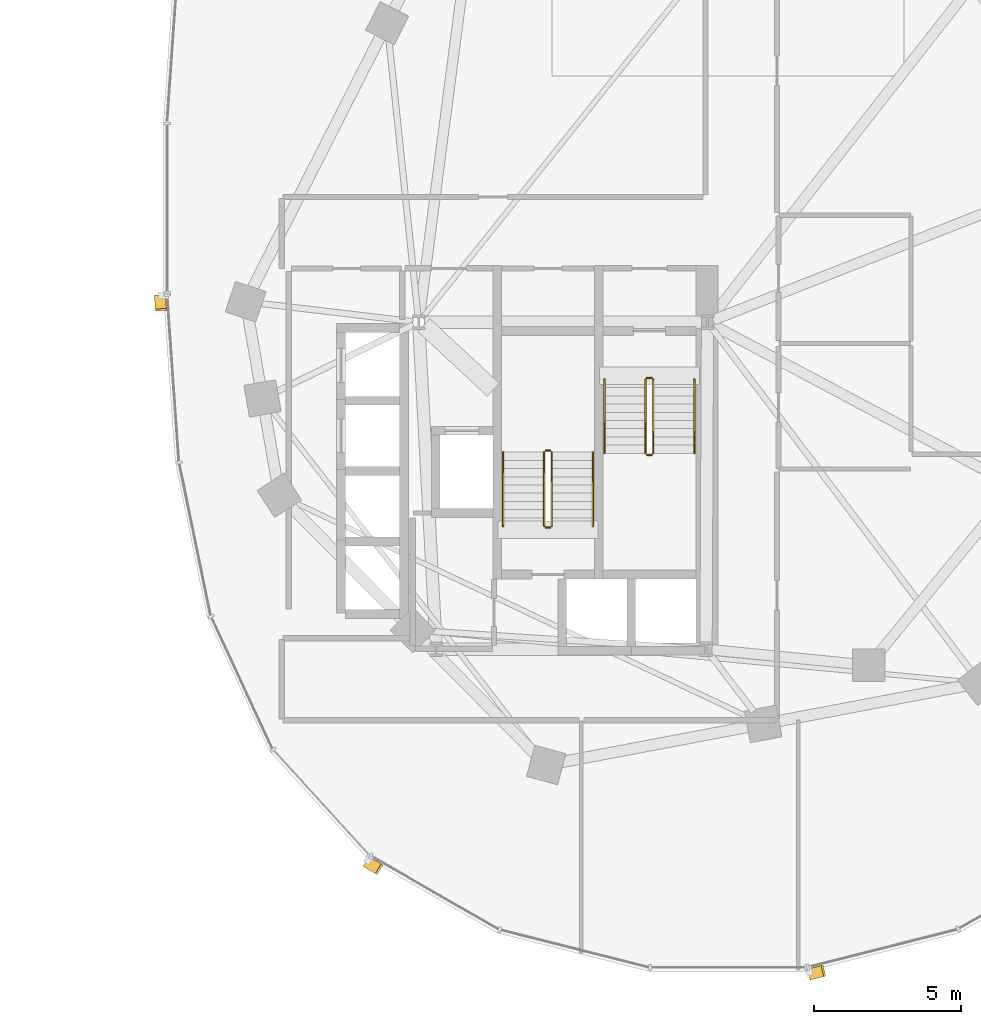
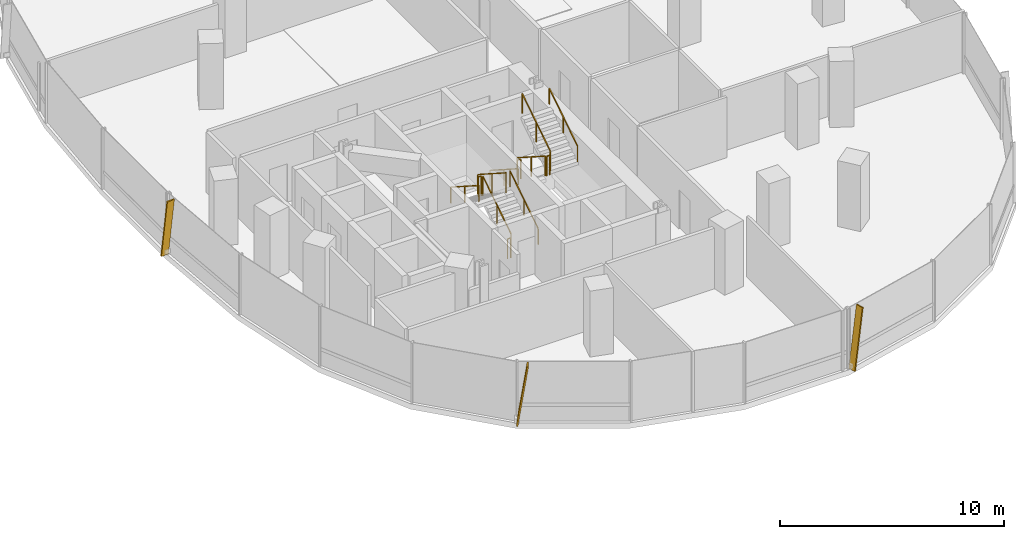
# One storey, part 20 of 21: 12 railings, 3 shading devices.
"""IFC4 building model written with IfcOpenShell, lengths in metres."""

from ifc_helpers import new_model, si_unit, direction, frame, origin, origin_2d, place, context, subcontext, project, spatial, rectangle, extrude, material, material_profile, profile_set, type_object, element, save


model = new_model("IFC4")

# Units and contexts
model_context = context("Model", 3, precision=1e-05, world=origin(), true_north=direction((0.0, 1.0)))
body_context = subcontext(model_context, "Body", "Model", "MODEL_VIEW")
ifc_project = project(units=[si_unit("LENGTHUNIT", "METRE"), si_unit("AREAUNIT", "SQUARE_METRE"), si_unit("VOLUMEUNIT", "CUBIC_METRE"), si_unit("PLANEANGLEUNIT", "RADIAN"), si_unit("MASSUNIT", "GRAM", prefix="KILO"), si_unit("THERMODYNAMICTEMPERATUREUNIT", "KELVIN"), si_unit("POWERUNIT", "WATT")], contexts=[model_context])

# Site, building, storey
site_placement = place(None, origin())
site = spatial("IfcSite", under=ifc_project, at=site_placement, CompositionType="ELEMENT")
building_placement = place(site_placement, origin())
building = spatial("IfcBuilding", under=site, at=building_placement, Name="Cundina Bronze Exchange", CompositionType="ELEMENT")
storey_placement = place(building_placement, frame((0.0, 0.0, 103.39990234375)))
storey = spatial("IfcBuildingStorey", under=building, at=storey_placement, Name="L26", CompositionType="ELEMENT", Elevation=103.39990234375)

# Railings
ifc_material_1 = material(Name="Steel ASTM A36 Painted", Category="steel")
railing_type_1 = type_object("IfcRailingType", Name="RLG-HND-900", PredefinedType="HANDRAIL", material=ifc_material_1)
railing_1_placement = place(storey_placement, frame((27.7900390625, -5.85009765625, 0.18017578125)))
element("IfcRailing", 1, at=railing_1_placement, inside=storey, type_object=railing_type_1, Name="L26 ST-E1 stair handrail 1", PredefinedType="HANDRAIL", context=body_context, shape_type="SweptSolid", body=[
    extrude(rectangle(XDim=0.048095703125, YDim=0.048095703125, at=origin_2d()), frame((0.0, 0.0, 0.8759765625), z_axis=(0.0, -0.841199657755, 0.540724639528), x_axis=(1.0, 0.0, 0.0)), (0.0, 0.0, 1.0), 2.995849609375),
    extrude(rectangle(XDim=0.0419921875, YDim=0.0419921875, at=origin_2d()), origin(), (0.0, 0.0, 1.0), 0.851806640625),
    extrude(rectangle(XDim=0.0419921875, YDim=0.0419921875, at=origin_2d()), frame((0.0, -1.260009765625, 0.81005859375)), (0.0, 0.0, 1.0), 0.851806640625),
    extrude(rectangle(XDim=0.0419921875, YDim=0.0419921875, at=origin_2d()), frame((0.0, -2.52001953125, 1.619873046875)), (0.0, 0.0, 1.0), 0.851806640625),
])
railing_2_placement = place(storey_placement, frame((30.85009765625, -8.3701171875, 1.97998046875)))
element("IfcRailing", 2, at=railing_2_placement, inside=storey, type_object=railing_type_1, Name="L26 ST-E1 stair handrail 2", PredefinedType="HANDRAIL", context=body_context, shape_type="SweptSolid", body=[
    extrude(rectangle(XDim=0.048095703125, YDim=0.048095703125, at=origin_2d()), frame((0.0, 0.0, 0.8759765625), z_axis=(0.0, 0.841162588446, 0.540782303519), x_axis=(-1.0, 0.0, 0.0)), (0.0, 0.0, 1.0), 2.995849609375),
    extrude(rectangle(XDim=0.0419921875, YDim=0.0419921875, at=origin_2d()), origin(), (0.0, 0.0, 1.0), 0.851806640625),
    extrude(rectangle(XDim=0.0419921875, YDim=0.0419921875, at=origin_2d()), frame((0.0, 1.260009765625, 0.81005859375)), (0.0, 0.0, 1.0), 0.851806640625),
    extrude(rectangle(XDim=0.0419921875, YDim=0.0419921875, at=origin_2d()), frame((0.0, 2.52001953125, 1.6201171875)), (0.0, 0.0, 1.0), 0.851806640625),
])
railing_3_placement = place(storey_placement, frame((27.389892578125, -10.85009765625, 0.18017578125)))
element("IfcRailing", 3, at=railing_3_placement, inside=storey, type_object=railing_type_1, Name="L26 ST-E2 stair handrail 1", PredefinedType="HANDRAIL", context=body_context, shape_type="SweptSolid", body=[
    extrude(rectangle(XDim=0.048095703125, YDim=0.048095703125, at=origin_2d()), frame((0.0, 0.0, 0.8759765625), z_axis=(0.0, 0.841199657755, 0.540724639528), x_axis=(-1.0, 0.0, 0.0)), (0.0, 0.0, 1.0), 2.995849609375),
    extrude(rectangle(XDim=0.0419921875, YDim=0.0419921875, at=origin_2d()), origin(), (0.0, 0.0, 1.0), 0.851806640625),
    extrude(rectangle(XDim=0.0419921875, YDim=0.0419921875, at=origin_2d()), frame((0.0, 1.260009765625, 0.81005859375)), (0.0, 0.0, 1.0), 0.851806640625),
    extrude(rectangle(XDim=0.0419921875, YDim=0.0419921875, at=origin_2d()), frame((0.0, 2.52001953125, 1.619873046875)), (0.0, 0.0, 1.0), 0.851806640625),
])
railing_4_placement = place(storey_placement, frame((24.330078125, -8.330078125, 1.97998046875)))
element("IfcRailing", 4, at=railing_4_placement, inside=storey, type_object=railing_type_1, Name="L26 ST-E2 stair handrail 2", PredefinedType="HANDRAIL", context=body_context, shape_type="SweptSolid", body=[
    extrude(rectangle(XDim=0.048095703125, YDim=0.048095703125, at=origin_2d()), frame((0.0, 0.0, 0.8759765625), z_axis=(0.0, -0.841162588446, 0.540782303519), x_axis=(1.0, 0.0, 0.0)), (0.0, 0.0, 1.0), 2.995849609375),
    extrude(rectangle(XDim=0.0419921875, YDim=0.0419921875, at=origin_2d()), origin(), (0.0, 0.0, 1.0), 0.851806640625),
    extrude(rectangle(XDim=0.0419921875, YDim=0.0419921875, at=origin_2d()), frame((0.0, -1.260009765625, 0.81005859375)), (0.0, 0.0, 1.0), 0.851806640625),
    extrude(rectangle(XDim=0.0419921875, YDim=0.0419921875, at=origin_2d()), frame((0.0, -2.52001953125, 1.6201171875)), (0.0, 0.0, 1.0), 0.851806640625),
])
railing_type_2 = type_object("IfcRailingType", Name="RLG-STG-1100", PredefinedType="GUARDRAIL", material=ifc_material_1)
railing_5_placement = place(storey_placement, frame((29.18994140625, -5.85009765625, 0.18017578125)))
element("IfcRailing", 5, at=railing_5_placement, inside=storey, type_object=railing_type_2, Name="L26 ST-E1 stair guard 1", PredefinedType="GUARDRAIL", context=body_context, shape_type="SweptSolid", body=[
    extrude(rectangle(XDim=0.048095703125, YDim=0.048095703125, at=origin_2d()), frame((0.0, 0.0, 1.076171875), z_axis=(0.0, -0.841199657755, 0.540724639528), x_axis=(1.0, 0.0, 0.0)), (0.0, 0.0, 1.0), 2.995849609375),
    extrude(rectangle(XDim=0.0419921875, YDim=0.0419921875, at=origin_2d()), origin(), (0.0, 0.0, 1.0), 1.052001953125),
    extrude(rectangle(XDim=0.0419921875, YDim=0.0419921875, at=origin_2d()), frame((0.0, -1.260009765625, 0.81005859375)), (0.0, 0.0, 1.0), 1.052001953125),
    extrude(rectangle(XDim=0.0419921875, YDim=0.0419921875, at=origin_2d()), frame((0.0, -2.52001953125, 1.619873046875)), (0.0, 0.0, 1.0), 1.052001953125),
])
railing_6_placement = place(storey_placement, frame((29.239990234375, -8.419921875, 1.800048828125)))
element("IfcRailing", 6, at=railing_6_placement, inside=storey, type_object=railing_type_2, Name="L26 ST-E1 stair guard 2", PredefinedType="GUARDRAIL", context=body_context, shape_type="SweptSolid", body=[
    extrude(rectangle(XDim=0.048095703125, YDim=0.048095703125, at=origin_2d()), frame((0.0, 0.0, 1.076171875), z_axis=(1.0, 0.0, 0.0), x_axis=(0.0, 1.0, 0.0)), (0.0, 0.0, 1.0), 0.159912109375),
    extrude(rectangle(XDim=0.0419921875, YDim=0.0419921875, at=origin_2d()), origin(), (0.0, 0.0, 1.0), 1.052001953125),
    extrude(rectangle(XDim=0.0419921875, YDim=0.0419921875, at=origin_2d()), frame((0.159912109375, 0.0, 0.0)), (0.0, 0.0, 1.0), 1.052001953125),
])
railing_7_placement = place(storey_placement, frame((29.449951171875, -8.3701171875, 1.97998046875)))
element("IfcRailing", 7, at=railing_7_placement, inside=storey, type_object=railing_type_2, Name="L26 ST-E1 stair guard 3", PredefinedType="GUARDRAIL", context=body_context, shape_type="SweptSolid", body=[
    extrude(rectangle(XDim=0.048095703125, YDim=0.048095703125, at=origin_2d()), frame((0.0, 0.0, 1.076171875), z_axis=(0.0, 0.841162588446, 0.540782303519), x_axis=(-1.0, 0.0, 0.0)), (0.0, 0.0, 1.0), 2.995849609375),
    extrude(rectangle(XDim=0.0419921875, YDim=0.0419921875, at=origin_2d()), origin(), (0.0, 0.0, 1.0), 1.052001953125),
    extrude(rectangle(XDim=0.0419921875, YDim=0.0419921875, at=origin_2d()), frame((0.0, 1.260009765625, 0.81005859375)), (0.0, 0.0, 1.0), 1.052001953125),
    extrude(rectangle(XDim=0.0419921875, YDim=0.0419921875, at=origin_2d()), frame((0.0, 2.52001953125, 1.6201171875)), (0.0, 0.0, 1.0), 1.052001953125),
])
railing_8_placement = place(storey_placement, frame((29.239990234375, -5.800048828125, 0.0)))
element("IfcRailing", 8, at=railing_8_placement, inside=storey, type_object=railing_type_2, Name="L26 ST-E1 stair guard 4", PredefinedType="GUARDRAIL", context=body_context, shape_type="SweptSolid", body=[
    extrude(rectangle(XDim=0.048095703125, YDim=0.048095703125, at=origin_2d()), frame((0.0, 0.0, 1.076171875), z_axis=(1.0, 0.0, 0.0), x_axis=(0.0, 1.0, 0.0)), (0.0, 0.0, 1.0), 0.159912109375),
    extrude(rectangle(XDim=0.0419921875, YDim=0.0419921875, at=origin_2d()), origin(), (0.0, 0.0, 1.0), 1.052001953125),
    extrude(rectangle(XDim=0.0419921875, YDim=0.0419921875, at=origin_2d()), frame((0.159912109375, 0.0, 0.0)), (0.0, 0.0, 1.0), 1.052001953125),
])
railing_9_placement = place(storey_placement, frame((25.989990234375, -10.85009765625, 0.18017578125)))
element("IfcRailing", 9, at=railing_9_placement, inside=storey, type_object=railing_type_2, Name="L26 ST-E2 stair guard 1", PredefinedType="GUARDRAIL", context=body_context, shape_type="SweptSolid", body=[
    extrude(rectangle(XDim=0.048095703125, YDim=0.048095703125, at=origin_2d()), frame((0.0, 0.0, 1.076171875), z_axis=(0.0, 0.841199657755, 0.540724639528), x_axis=(-1.0, 0.0, 0.0)), (0.0, 0.0, 1.0), 2.995849609375),
    extrude(rectangle(XDim=0.0419921875, YDim=0.0419921875, at=origin_2d()), origin(), (0.0, 0.0, 1.0), 1.052001953125),
    extrude(rectangle(XDim=0.0419921875, YDim=0.0419921875, at=origin_2d()), frame((0.0, 1.260009765625, 0.81005859375)), (0.0, 0.0, 1.0), 1.052001953125),
    extrude(rectangle(XDim=0.0419921875, YDim=0.0419921875, at=origin_2d()), frame((0.0, 2.52001953125, 1.619873046875)), (0.0, 0.0, 1.0), 1.052001953125),
])
railing_10_placement = place(storey_placement, frame((25.93994140625, -8.280029296875, 1.800048828125)))
element("IfcRailing", 10, at=railing_10_placement, inside=storey, type_object=railing_type_2, Name="L26 ST-E2 stair guard 2", PredefinedType="GUARDRAIL", context=body_context, shape_type="SweptSolid", body=[
    extrude(rectangle(XDim=0.048095703125, YDim=0.048095703125, at=origin_2d()), frame((0.0, 0.0, 1.076171875), z_axis=(-1.0, 0.0, 0.0), x_axis=(0.0, -1.0, 0.0)), (0.0, 0.0, 1.0), 0.159912109375),
    extrude(rectangle(XDim=0.0419921875, YDim=0.0419921875, at=origin_2d()), origin(), (0.0, 0.0, 1.0), 1.052001953125),
    extrude(rectangle(XDim=0.0419921875, YDim=0.0419921875, at=origin_2d()), frame((-0.159912109375, 0.0, 0.0)), (0.0, 0.0, 1.0), 1.052001953125),
])
railing_11_placement = place(storey_placement, frame((25.72998046875, -8.330078125, 1.97998046875)))
element("IfcRailing", 11, at=railing_11_placement, inside=storey, type_object=railing_type_2, Name="L26 ST-E2 stair guard 3", PredefinedType="GUARDRAIL", context=body_context, shape_type="SweptSolid", body=[
    extrude(rectangle(XDim=0.048095703125, YDim=0.048095703125, at=origin_2d()), frame((0.0, 0.0, 1.076171875), z_axis=(0.0, -0.841162588446, 0.540782303519), x_axis=(1.0, 0.0, 0.0)), (0.0, 0.0, 1.0), 2.995849609375),
    extrude(rectangle(XDim=0.0419921875, YDim=0.0419921875, at=origin_2d()), origin(), (0.0, 0.0, 1.0), 1.052001953125),
    extrude(rectangle(XDim=0.0419921875, YDim=0.0419921875, at=origin_2d()), frame((0.0, -1.260009765625, 0.81005859375)), (0.0, 0.0, 1.0), 1.052001953125),
    extrude(rectangle(XDim=0.0419921875, YDim=0.0419921875, at=origin_2d()), frame((0.0, -2.52001953125, 1.6201171875)), (0.0, 0.0, 1.0), 1.052001953125),
])
railing_12_placement = place(storey_placement, frame((25.93994140625, -10.89990234375, 0.0)))
element("IfcRailing", 12, at=railing_12_placement, inside=storey, type_object=railing_type_2, Name="L26 ST-E2 stair guard 4", PredefinedType="GUARDRAIL", context=body_context, shape_type="SweptSolid", body=[
    extrude(rectangle(XDim=0.048095703125, YDim=0.048095703125, at=origin_2d()), frame((0.0, 0.0, 1.076171875), z_axis=(-1.0, 0.0, 0.0), x_axis=(0.0, -1.0, 0.0)), (0.0, 0.0, 1.0), 0.159912109375),
    extrude(rectangle(XDim=0.0419921875, YDim=0.0419921875, at=origin_2d()), origin(), (0.0, 0.0, 1.0), 1.052001953125),
    extrude(rectangle(XDim=0.0419921875, YDim=0.0419921875, at=origin_2d()), frame((-0.159912109375, 0.0, 0.0)), (0.0, 0.0, 1.0), 1.052001953125),
])

# Shading devices
ifc_material_2 = material(Name="Anodised Bronze Aluminium 6063-T6", Category="aluminium")
ifc_material_profile = material_profile(ifc_material_2, rectangle(XDim=0.070068359375, YDim=0.3798828125, at=origin_2d()), Name="FIN70X380", Category="aluminium")
ifc_profile_set = profile_set([ifc_material_profile], Name="Anodised Bronze Aluminium 6063-T6")
shading_device_type = type_object("IfcShadingDeviceType", Name="SHD-FIN-BRZ380", PredefinedType="USERDEFINED", material=ifc_profile_set)
for number, where, z_axis, x_axis, name in (
    (13, (12.6259765625, -2.993896484375, 0.02001953125), (0.010224545828, -0.145292278041, 0.989335945271), (-0.069450050635, 0.986895284755, 0.145651595925), "L26 Diagonal Bronze Solar Fin 1"),
    (14, (19.685791015625, -22.314208984375, 0.02001953125), (0.126324692219, -0.072534823274, 0.989333498649), (-0.857958278167, 0.492634108109, 0.145668213594), "L26 Diagonal Bronze Solar Fin 5"),
    (15, (34.787353515625, -26.138427734375, 0.02001953125), (0.141217047268, 0.035711761166, 0.989334329575), (-0.95914051701, -0.242552848478, 0.145662570088), "L26 Diagonal Bronze Solar Fin 1"),
):
    element("IfcShadingDevice", number, at=place(storey_placement, frame(where, z_axis=z_axis, x_axis=x_axis)), inside=storey, type_object=shading_device_type, Name=name, ObjectType="FIN", PredefinedType="USERDEFINED", context=body_context, shape_type="SweptSolid", body=[
        extrude(rectangle(XDim=0.070068359375, YDim=0.3798828125, at=origin_2d()), origin(), (0.0, 0.0, 1.0), 3.295166015625),
    ])

save(model, "model.ifc")
